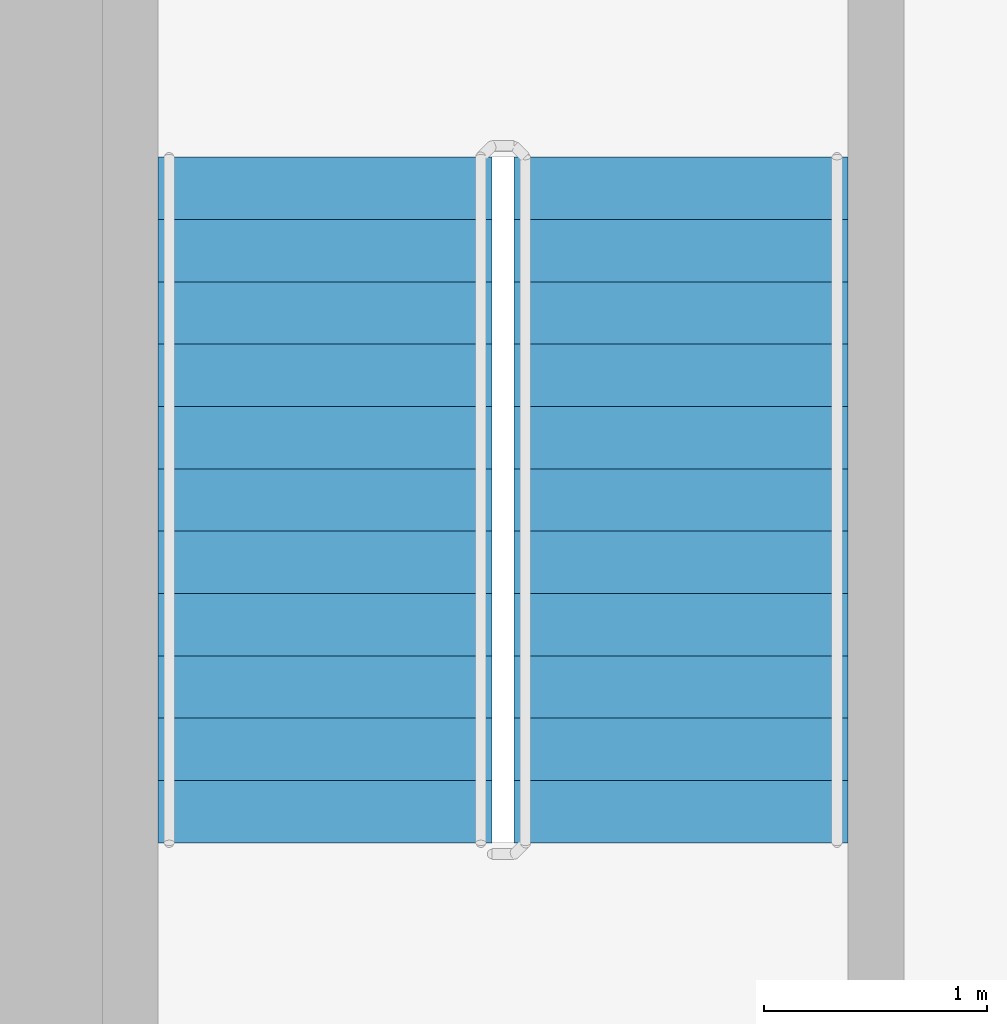
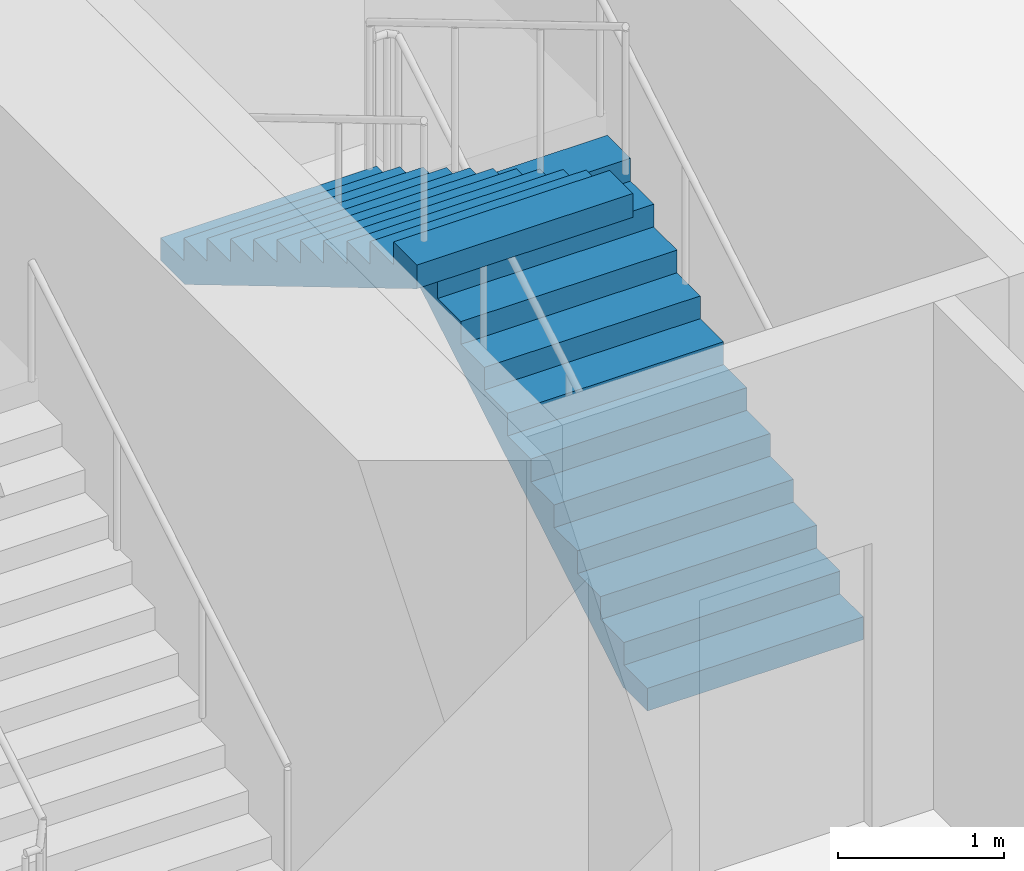
# One storey, part 21 of 29: 2 stair flights, 1 element without a shape of its own.
"""IFC4 building model written with IfcOpenShell, lengths in metres."""

from ifc_helpers import new_model, si_unit, direction, frame, origin, place, context, subcontext, project, spatial, triangles, source, transform, mapped, material, type_object, element, aggregate, save


model = new_model("IFC4")

# Units and contexts
model_context = context("Model", 3, precision=1e-05, world=origin(), true_north=direction((0.0, 1.0)))
body_context = subcontext(model_context, "Body", "Model", "MODEL_VIEW")
ifc_project = project(units=[si_unit("LENGTHUNIT", "METRE"), si_unit("AREAUNIT", "SQUARE_METRE"), si_unit("VOLUMEUNIT", "CUBIC_METRE"), si_unit("PLANEANGLEUNIT", "RADIAN"), si_unit("MASSUNIT", "GRAM", prefix="KILO")], contexts=[model_context])

# Site, building, storey
site_placement = place(None, origin())
site = spatial("IfcSite", under=ifc_project, at=site_placement, CompositionType="ELEMENT")
building_placement = place(site_placement, origin())
building = spatial("IfcBuilding", under=site, at=building_placement, Name="Kilnfold Tower and Market Hall", CompositionType="ELEMENT")
storey_placement = place(building_placement, frame((0.0, 0.0, 27.0)))
storey = spatial("IfcBuildingStorey", under=building, at=storey_placement, Name="L05", CompositionType="ELEMENT", Elevation=27.0)

# Stair, stair flights
ifc_material_1 = material(Name="Concrete C40/50", Category="concrete")
stair_type = type_object("IfcStairType", Name="CORE STAIR 1500", PredefinedType="HALF_TURN_STAIR", material=ifc_material_1)
stair_placement = place(storey_placement, origin())
stair = element("IfcStair", 1, at=stair_placement, inside=storey, type_object=stair_type, Name="L05 ST5", PredefinedType="HALF_TURN_STAIR")
ifc_material_2 = material(Name="Concrete C40/50", Category="concrete")
stair_flight_type = type_object("IfcStairFlightType", Name="CORE STAIR FLIGHT 1500", PredefinedType="STRAIGHT", material=ifc_material_2)
shared_shape = source(origin(), body_context, "Body", "Tessellation", [
    triangles([(0.0, 0.75, 0.0), (0.0, 0.65625, 0.0), (0.0, 0.5625, 0.0), (0.0, 0.46875, 0.0), (0.0, 0.375, 0.0), (0.0, 0.28125, 0.0), (0.0, 0.1875, 0.0), (0.0, 0.09375, 0.0), (0.0, 0.0, 0.0), (0.0, -0.09375, 0.0), (0.0, -0.1875, 0.0), (0.0, -0.28125, 0.0), (0.0, -0.375, 0.0), (0.0, -0.46875, 0.0), (0.0, -0.5625, 0.0), (0.0, -0.65625, 0.0), (0.0, -0.75, 0.0), (0.0, 0.75, 0.166748046875), (0.0, 0.65625, 0.166748046875), (0.0, 0.5625, 0.166748046875), (0.0, 0.46875, 0.166748046875), (0.0, 0.375, 0.166748046875), (0.0, 0.28125, 0.166748046875), (0.0, 0.1875, 0.166748046875), (0.0, 0.09375, 0.166748046875), (0.0, 0.0, 0.166748046875), (0.0, -0.09375, 0.166748046875), (0.0, -0.1875, 0.166748046875), (0.0, -0.28125, 0.166748046875), (0.0, -0.375, 0.166748046875), (0.0, -0.46875, 0.166748046875), (0.0, -0.5625, 0.166748046875), (0.0, -0.65625, 0.166748046875), (0.0, -0.75, 0.166748046875), (0.280029296875, 0.75, 0.166748046875), (0.280029296875, 0.65625, 0.166748046875), (0.280029296875, 0.5625, 0.166748046875), (0.280029296875, 0.46875, 0.166748046875), (0.280029296875, 0.375, 0.166748046875), (0.280029296875, 0.28125, 0.166748046875), (0.280029296875, 0.1875, 0.166748046875), (0.280029296875, 0.09375, 0.166748046875), (0.280029296875, 0.0, 0.166748046875), (0.280029296875, -0.09375, 0.166748046875), (0.280029296875, -0.1875, 0.166748046875), (0.280029296875, -0.28125, 0.166748046875), (0.280029296875, -0.375, 0.166748046875), (0.280029296875, -0.46875, 0.166748046875), (0.280029296875, -0.5625, 0.166748046875), (0.280029296875, -0.65625, 0.166748046875), (0.280029296875, -0.75, 0.166748046875), (0.280029296875, 0.75, 0.333251953125), (0.280029296875, 0.65625, 0.333251953125), (0.280029296875, 0.5625, 0.333251953125), (0.280029296875, 0.46875, 0.333251953125), (0.280029296875, 0.375, 0.333251953125), (0.280029296875, 0.28125, 0.333251953125), (0.280029296875, 0.1875, 0.333251953125), (0.280029296875, 0.09375, 0.333251953125), (0.280029296875, 0.0, 0.333251953125), (0.280029296875, -0.09375, 0.333251953125), (0.280029296875, -0.1875, 0.333251953125), (0.280029296875, -0.28125, 0.333251953125), (0.280029296875, -0.375, 0.333251953125), (0.280029296875, -0.46875, 0.333251953125), (0.280029296875, -0.5625, 0.333251953125), (0.280029296875, -0.65625, 0.333251953125), (0.280029296875, -0.75, 0.333251953125), (0.56005859375, 0.75, 0.333251953125), (0.56005859375, 0.65625, 0.333251953125), (0.56005859375, 0.5625, 0.333251953125), (0.56005859375, 0.46875, 0.333251953125), (0.56005859375, 0.375, 0.333251953125), (0.56005859375, 0.28125, 0.333251953125), (0.56005859375, 0.1875, 0.333251953125), (0.56005859375, 0.09375, 0.333251953125), (0.56005859375, 0.0, 0.333251953125), (0.56005859375, -0.09375, 0.333251953125), (0.56005859375, -0.1875, 0.333251953125), (0.56005859375, -0.28125, 0.333251953125), (0.56005859375, -0.375, 0.333251953125), (0.56005859375, -0.46875, 0.333251953125), (0.56005859375, -0.5625, 0.333251953125), (0.56005859375, -0.65625, 0.333251953125), (0.56005859375, -0.75, 0.333251953125), (0.56005859375, 0.75, 0.5), (0.56005859375, 0.65625, 0.5), (0.56005859375, 0.5625, 0.5), (0.56005859375, 0.46875, 0.5), (0.56005859375, 0.375, 0.5), (0.56005859375, 0.28125, 0.5), (0.56005859375, 0.1875, 0.5), (0.56005859375, 0.09375, 0.5), (0.56005859375, 0.0, 0.5), (0.56005859375, -0.09375, 0.5), (0.56005859375, -0.1875, 0.5), (0.56005859375, -0.28125, 0.5), (0.56005859375, -0.375, 0.5), (0.56005859375, -0.46875, 0.5), (0.56005859375, -0.5625, 0.5), (0.56005859375, -0.65625, 0.5), (0.56005859375, -0.75, 0.5), (0.840087890625, 0.75, 0.5), (0.840087890625, 0.65625, 0.5), (0.840087890625, 0.5625, 0.5), (0.840087890625, 0.46875, 0.5), (0.840087890625, 0.375, 0.5), (0.840087890625, 0.28125, 0.5), (0.840087890625, 0.1875, 0.5), (0.840087890625, 0.09375, 0.5), (0.840087890625, 0.0, 0.5), (0.840087890625, -0.09375, 0.5), (0.840087890625, -0.1875, 0.5), (0.840087890625, -0.28125, 0.5), (0.840087890625, -0.375, 0.5), (0.840087890625, -0.46875, 0.5), (0.840087890625, -0.5625, 0.5), (0.840087890625, -0.65625, 0.5), (0.840087890625, -0.75, 0.5), (0.840087890625, 0.75, 0.666748046875), (0.840087890625, 0.65625, 0.666748046875), (0.840087890625, 0.5625, 0.666748046875), (0.840087890625, 0.46875, 0.666748046875), (0.840087890625, 0.375, 0.666748046875), (0.840087890625, 0.28125, 0.666748046875), (0.840087890625, 0.1875, 0.666748046875), (0.840087890625, 0.09375, 0.666748046875), (0.840087890625, 0.0, 0.666748046875), (0.840087890625, -0.09375, 0.666748046875), (0.840087890625, -0.1875, 0.666748046875), (0.840087890625, -0.28125, 0.666748046875), (0.840087890625, -0.375, 0.666748046875), (0.840087890625, -0.46875, 0.666748046875), (0.840087890625, -0.5625, 0.666748046875), (0.840087890625, -0.65625, 0.666748046875), (0.840087890625, -0.75, 0.666748046875), (1.1201171875, 0.75, 0.666748046875), (1.1201171875, 0.65625, 0.666748046875), (1.1201171875, 0.5625, 0.666748046875), (1.1201171875, 0.46875, 0.666748046875), (1.1201171875, 0.375, 0.666748046875), (1.1201171875, 0.28125, 0.666748046875), (1.1201171875, 0.1875, 0.666748046875), (1.1201171875, 0.09375, 0.666748046875), (1.1201171875, 0.0, 0.666748046875), (1.1201171875, -0.09375, 0.666748046875), (1.1201171875, -0.1875, 0.666748046875), (1.1201171875, -0.28125, 0.666748046875), (1.1201171875, -0.375, 0.666748046875), (1.1201171875, -0.46875, 0.666748046875), (1.1201171875, -0.5625, 0.666748046875), (1.1201171875, -0.65625, 0.666748046875), (1.1201171875, -0.75, 0.666748046875), (1.1201171875, 0.75, 0.833251953125), (1.1201171875, 0.65625, 0.833251953125), (1.1201171875, 0.5625, 0.833251953125), (1.1201171875, 0.46875, 0.833251953125), (1.1201171875, 0.375, 0.833251953125), (1.1201171875, 0.28125, 0.833251953125), (1.1201171875, 0.1875, 0.833251953125), (1.1201171875, 0.09375, 0.833251953125), (1.1201171875, 0.0, 0.833251953125), (1.1201171875, -0.09375, 0.833251953125), (1.1201171875, -0.1875, 0.833251953125), (1.1201171875, -0.28125, 0.833251953125), (1.1201171875, -0.375, 0.833251953125), (1.1201171875, -0.46875, 0.833251953125), (1.1201171875, -0.5625, 0.833251953125), (1.1201171875, -0.65625, 0.833251953125), (1.1201171875, -0.75, 0.833251953125), (1.39990234375, 0.75, 0.833251953125), (1.39990234375, 0.65625, 0.833251953125), (1.39990234375, 0.5625, 0.833251953125), (1.39990234375, 0.46875, 0.833251953125), (1.39990234375, 0.375, 0.833251953125), (1.39990234375, 0.28125, 0.833251953125), (1.39990234375, 0.1875, 0.833251953125), (1.39990234375, 0.09375, 0.833251953125), (1.39990234375, 0.0, 0.833251953125), (1.39990234375, -0.09375, 0.833251953125), (1.39990234375, -0.1875, 0.833251953125), (1.39990234375, -0.28125, 0.833251953125), (1.39990234375, -0.375, 0.833251953125), (1.39990234375, -0.46875, 0.833251953125), (1.39990234375, -0.5625, 0.833251953125), (1.39990234375, -0.65625, 0.833251953125), (1.39990234375, -0.75, 0.833251953125), (1.39990234375, 0.75, 1.0), (1.39990234375, 0.65625, 1.0), (1.39990234375, 0.5625, 1.0), (1.39990234375, 0.46875, 1.0), (1.39990234375, 0.375, 1.0), (1.39990234375, 0.28125, 1.0), (1.39990234375, 0.1875, 1.0), (1.39990234375, 0.09375, 1.0), (1.39990234375, 0.0, 1.0), (1.39990234375, -0.09375, 1.0), (1.39990234375, -0.1875, 1.0), (1.39990234375, -0.28125, 1.0), (1.39990234375, -0.375, 1.0), (1.39990234375, -0.46875, 1.0), (1.39990234375, -0.5625, 1.0), (1.39990234375, -0.65625, 1.0), (1.39990234375, -0.75, 1.0), (1.679931640625, 0.75, 1.0), (1.679931640625, 0.65625, 1.0), (1.679931640625, 0.5625, 1.0), (1.679931640625, 0.46875, 1.0), (1.679931640625, 0.375, 1.0), (1.679931640625, 0.28125, 1.0), (1.679931640625, 0.1875, 1.0), (1.679931640625, 0.09375, 1.0), (1.679931640625, 0.0, 1.0), (1.679931640625, -0.09375, 1.0), (1.679931640625, -0.1875, 1.0), (1.679931640625, -0.28125, 1.0), (1.679931640625, -0.375, 1.0), (1.679931640625, -0.46875, 1.0), (1.679931640625, -0.5625, 1.0), (1.679931640625, -0.65625, 1.0), (1.679931640625, -0.75, 1.0), (1.679931640625, 0.75, 1.166748046875), (1.679931640625, 0.65625, 1.166748046875), (1.679931640625, 0.5625, 1.166748046875), (1.679931640625, 0.46875, 1.166748046875), (1.679931640625, 0.375, 1.166748046875), (1.679931640625, 0.28125, 1.166748046875), (1.679931640625, 0.1875, 1.166748046875), (1.679931640625, 0.09375, 1.166748046875), (1.679931640625, 0.0, 1.166748046875), (1.679931640625, -0.09375, 1.166748046875), (1.679931640625, -0.1875, 1.166748046875), (1.679931640625, -0.28125, 1.166748046875), (1.679931640625, -0.375, 1.166748046875), (1.679931640625, -0.46875, 1.166748046875), (1.679931640625, -0.5625, 1.166748046875), (1.679931640625, -0.65625, 1.166748046875), (1.679931640625, -0.75, 1.166748046875), (1.9599609375, 0.75, 1.166748046875), (1.9599609375, 0.65625, 1.166748046875), (1.9599609375, 0.5625, 1.166748046875), (1.9599609375, 0.46875, 1.166748046875), (1.9599609375, 0.375, 1.166748046875), (1.9599609375, 0.28125, 1.166748046875), (1.9599609375, 0.1875, 1.166748046875), (1.9599609375, 0.09375, 1.166748046875), (1.9599609375, 0.0, 1.166748046875), (1.9599609375, -0.09375, 1.166748046875), (1.9599609375, -0.1875, 1.166748046875), (1.9599609375, -0.28125, 1.166748046875), (1.9599609375, -0.375, 1.166748046875), (1.9599609375, -0.46875, 1.166748046875), (1.9599609375, -0.5625, 1.166748046875), (1.9599609375, -0.65625, 1.166748046875), (1.9599609375, -0.75, 1.166748046875), (1.9599609375, 0.75, 1.333251953125), (1.9599609375, 0.65625, 1.333251953125), (1.9599609375, 0.5625, 1.333251953125), (1.9599609375, 0.46875, 1.333251953125), (1.9599609375, 0.375, 1.333251953125), (1.9599609375, 0.28125, 1.333251953125), (1.9599609375, 0.1875, 1.333251953125), (1.9599609375, 0.09375, 1.333251953125), (1.9599609375, 0.0, 1.333251953125), (1.9599609375, -0.09375, 1.333251953125), (1.9599609375, -0.1875, 1.333251953125), (1.9599609375, -0.28125, 1.333251953125), (1.9599609375, -0.375, 1.333251953125), (1.9599609375, -0.46875, 1.333251953125), (1.9599609375, -0.5625, 1.333251953125), (1.9599609375, -0.65625, 1.333251953125), (1.9599609375, -0.75, 1.333251953125), (2.239990234375, 0.75, 1.333251953125), (2.239990234375, 0.65625, 1.333251953125), (2.239990234375, 0.5625, 1.333251953125), (2.239990234375, 0.46875, 1.333251953125), (2.239990234375, 0.375, 1.333251953125), (2.239990234375, 0.28125, 1.333251953125), (2.239990234375, 0.1875, 1.333251953125), (2.239990234375, 0.09375, 1.333251953125), (2.239990234375, 0.0, 1.333251953125), (2.239990234375, -0.09375, 1.333251953125), (2.239990234375, -0.1875, 1.333251953125), (2.239990234375, -0.28125, 1.333251953125), (2.239990234375, -0.375, 1.333251953125), (2.239990234375, -0.46875, 1.333251953125), (2.239990234375, -0.5625, 1.333251953125), (2.239990234375, -0.65625, 1.333251953125), (2.239990234375, -0.75, 1.333251953125), (2.239990234375, 0.75, 1.5), (2.239990234375, 0.65625, 1.5), (2.239990234375, 0.5625, 1.5), (2.239990234375, 0.46875, 1.5), (2.239990234375, 0.375, 1.5), (2.239990234375, 0.28125, 1.5), (2.239990234375, 0.1875, 1.5), (2.239990234375, 0.09375, 1.5), (2.239990234375, 0.0, 1.5), (2.239990234375, -0.09375, 1.5), (2.239990234375, -0.1875, 1.5), (2.239990234375, -0.28125, 1.5), (2.239990234375, -0.375, 1.5), (2.239990234375, -0.46875, 1.5), (2.239990234375, -0.5625, 1.5), (2.239990234375, -0.65625, 1.5), (2.239990234375, -0.75, 1.5), (2.52001953125, 0.75, 1.5), (2.52001953125, 0.65625, 1.5), (2.52001953125, 0.5625, 1.5), (2.52001953125, 0.46875, 1.5), (2.52001953125, 0.375, 1.5), (2.52001953125, 0.28125, 1.5), (2.52001953125, 0.1875, 1.5), (2.52001953125, 0.09375, 1.5), (2.52001953125, 0.0, 1.5), (2.52001953125, -0.09375, 1.5), (2.52001953125, -0.1875, 1.5), (2.52001953125, -0.28125, 1.5), (2.52001953125, -0.375, 1.5), (2.52001953125, -0.46875, 1.5), (2.52001953125, -0.5625, 1.5), (2.52001953125, -0.65625, 1.5), (2.52001953125, -0.75, 1.5), (2.52001953125, 0.75, 1.666748046875), (2.52001953125, 0.65625, 1.666748046875), (2.52001953125, 0.5625, 1.666748046875), (2.52001953125, 0.46875, 1.666748046875), (2.52001953125, 0.375, 1.666748046875), (2.52001953125, 0.28125, 1.666748046875), (2.52001953125, 0.1875, 1.666748046875), (2.52001953125, 0.09375, 1.666748046875), (2.52001953125, 0.0, 1.666748046875), (2.52001953125, -0.09375, 1.666748046875), (2.52001953125, -0.1875, 1.666748046875), (2.52001953125, -0.28125, 1.666748046875), (2.52001953125, -0.375, 1.666748046875), (2.52001953125, -0.46875, 1.666748046875), (2.52001953125, -0.5625, 1.666748046875), (2.52001953125, -0.65625, 1.666748046875), (2.52001953125, -0.75, 1.666748046875), (2.800048828125, 0.75, 1.666748046875), (2.800048828125, 0.65625, 1.666748046875), (2.800048828125, 0.5625, 1.666748046875), (2.800048828125, 0.46875, 1.666748046875), (2.800048828125, 0.375, 1.666748046875), (2.800048828125, 0.28125, 1.666748046875), (2.800048828125, 0.1875, 1.666748046875), (2.800048828125, 0.09375, 1.666748046875), (2.800048828125, 0.0, 1.666748046875), (2.800048828125, -0.09375, 1.666748046875), (2.800048828125, -0.1875, 1.666748046875), (2.800048828125, -0.28125, 1.666748046875), (2.800048828125, -0.375, 1.666748046875), (2.800048828125, -0.46875, 1.666748046875), (2.800048828125, -0.5625, 1.666748046875), (2.800048828125, -0.65625, 1.666748046875), (2.800048828125, -0.75, 1.666748046875), (2.800048828125, 0.75, 1.833251953125), (2.800048828125, 0.65625, 1.833251953125), (2.800048828125, 0.5625, 1.833251953125), (2.800048828125, 0.46875, 1.833251953125), (2.800048828125, 0.375, 1.833251953125), (2.800048828125, 0.28125, 1.833251953125), (2.800048828125, 0.1875, 1.833251953125), (2.800048828125, 0.09375, 1.833251953125), (2.800048828125, 0.0, 1.833251953125), (2.800048828125, -0.09375, 1.833251953125), (2.800048828125, -0.1875, 1.833251953125), (2.800048828125, -0.28125, 1.833251953125), (2.800048828125, -0.375, 1.833251953125), (2.800048828125, -0.46875, 1.833251953125), (2.800048828125, -0.5625, 1.833251953125), (2.800048828125, -0.65625, 1.833251953125), (2.800048828125, -0.75, 1.833251953125), (3.080078125, 0.75, 1.833251953125), (3.080078125, 0.65625, 1.833251953125), (3.080078125, 0.5625, 1.833251953125), (3.080078125, 0.46875, 1.833251953125), (3.080078125, 0.375, 1.833251953125), (3.080078125, 0.28125, 1.833251953125), (3.080078125, 0.1875, 1.833251953125), (3.080078125, 0.09375, 1.833251953125), (3.080078125, 0.0, 1.833251953125), (3.080078125, -0.09375, 1.833251953125), (3.080078125, -0.1875, 1.833251953125), (3.080078125, -0.28125, 1.833251953125), (3.080078125, -0.375, 1.833251953125), (3.080078125, -0.46875, 1.833251953125), (3.080078125, -0.5625, 1.833251953125), (3.080078125, -0.65625, 1.833251953125), (3.080078125, -0.75, 1.833251953125), (3.080078125, 0.75, 1.658935546875), (3.080078125, 0.65625, 1.658935546875), (3.080078125, 0.5625, 1.658935546875), (3.080078125, 0.46875, 1.658935546875), (3.080078125, 0.375, 1.658935546875), (3.080078125, 0.28125, 1.658935546875), (3.080078125, 0.1875, 1.658935546875), (3.080078125, 0.09375, 1.658935546875), (3.080078125, 0.0, 1.658935546875), (3.080078125, -0.09375, 1.658935546875), (3.080078125, -0.1875, 1.658935546875), (3.080078125, -0.28125, 1.658935546875), (3.080078125, -0.375, 1.658935546875), (3.080078125, -0.46875, 1.658935546875), (3.080078125, -0.5625, 1.658935546875), (3.080078125, -0.65625, 1.658935546875), (3.080078125, -0.75, 1.658935546875), (0.29296875, 0.75, 0.0), (0.29296875, 0.65625, 0.0), (0.29296875, 0.5625, 0.0), (0.29296875, 0.46875, 0.0), (0.29296875, 0.375, 0.0), (0.29296875, 0.28125, 0.0), (0.29296875, 0.1875, 0.0), (0.29296875, 0.09375, 0.0), (0.29296875, 0.0, 0.0), (0.29296875, -0.09375, 0.0), (0.29296875, -0.1875, 0.0), (0.29296875, -0.28125, 0.0), (0.29296875, -0.375, 0.0), (0.29296875, -0.46875, 0.0), (0.29296875, -0.5625, 0.0), (0.29296875, -0.65625, 0.0), (0.29296875, -0.75, 0.0)], [[1, 392, 409], [17, 425, 408], [392, 358, 375], [408, 391, 374], [392, 341, 358], [408, 374, 357], [392, 324, 341], [408, 357, 340], [392, 307, 324], [408, 340, 323], [307, 273, 290], [323, 306, 289], [392, 273, 307], [408, 323, 289], [273, 239, 256], [289, 272, 255], [392, 239, 273], [408, 289, 255], [239, 205, 222], [255, 238, 221], [392, 205, 239], [408, 255, 221], [205, 171, 188], [221, 204, 187], [392, 171, 205], [408, 221, 187], [171, 137, 154], [187, 170, 153], [392, 137, 171], [408, 187, 153], [137, 103, 120], [153, 136, 119], [392, 103, 137], [408, 153, 119], [103, 69, 86], [119, 102, 85], [392, 69, 103], [408, 119, 85], [1, 69, 392], [17, 408, 85], [69, 35, 52], [85, 68, 51], [1, 35, 69], [17, 85, 51], [35, 1, 18], [51, 34, 17], [1, 19, 18], [1, 2, 19], [2, 20, 19], [2, 3, 20], [3, 21, 20], [3, 4, 21], [4, 22, 21], [4, 5, 22], [5, 23, 22], [5, 6, 23], [6, 24, 23], [6, 7, 24], [7, 25, 24], [7, 8, 25], [8, 26, 25], [8, 9, 26], [9, 27, 26], [9, 10, 27], [10, 28, 27], [10, 11, 28], [11, 29, 28], [11, 12, 29], [12, 30, 29], [12, 13, 30], [13, 31, 30], [13, 14, 31], [14, 32, 31], [14, 15, 32], [15, 33, 32], [15, 16, 33], [16, 34, 33], [16, 17, 34], [18, 36, 35], [18, 19, 36], [19, 37, 36], [19, 20, 37], [20, 38, 37], [20, 21, 38], [21, 39, 38], [21, 22, 39], [22, 40, 39], [22, 23, 40], [23, 41, 40], [23, 24, 41], [24, 42, 41], [24, 25, 42], [25, 43, 42], [25, 26, 43], [26, 44, 43], [26, 27, 44], [27, 45, 44], [27, 28, 45], [28, 46, 45], [28, 29, 46], [29, 47, 46], [29, 30, 47], [30, 48, 47], [30, 31, 48], [31, 49, 48], [31, 32, 49], [32, 50, 49], [32, 33, 50], [33, 51, 50], [33, 34, 51], [35, 53, 52], [35, 36, 53], [36, 54, 53], [36, 37, 54], [37, 55, 54], [37, 38, 55], [38, 56, 55], [38, 39, 56], [39, 57, 56], [39, 40, 57], [40, 58, 57], [40, 41, 58], [41, 59, 58], [41, 42, 59], [42, 60, 59], [42, 43, 60], [43, 61, 60], [43, 44, 61], [44, 62, 61], [44, 45, 62], [45, 63, 62], [45, 46, 63], [46, 64, 63], [46, 47, 64], [47, 65, 64], [47, 48, 65], [48, 66, 65], [48, 49, 66], [49, 67, 66], [49, 50, 67], [50, 68, 67], [50, 51, 68], [52, 70, 69], [52, 53, 70], [53, 71, 70], [53, 54, 71], [54, 72, 71], [54, 55, 72], [55, 73, 72], [55, 56, 73], [56, 74, 73], [56, 57, 74], [57, 75, 74], [57, 58, 75], [58, 76, 75], [58, 59, 76], [59, 77, 76], [59, 60, 77], [60, 78, 77], [60, 61, 78], [61, 79, 78], [61, 62, 79], [62, 80, 79], [62, 63, 80], [63, 81, 80], [63, 64, 81], [64, 82, 81], [64, 65, 82], [65, 83, 82], [65, 66, 83], [66, 84, 83], [66, 67, 84], [67, 85, 84], [67, 68, 85], [69, 87, 86], [69, 70, 87], [70, 88, 87], [70, 71, 88], [71, 89, 88], [71, 72, 89], [72, 90, 89], [72, 73, 90], [73, 91, 90], [73, 74, 91], [74, 92, 91], [74, 75, 92], [75, 93, 92], [75, 76, 93], [76, 94, 93], [76, 77, 94], [77, 95, 94], [77, 78, 95], [78, 96, 95], [78, 79, 96], [79, 97, 96], [79, 80, 97], [80, 98, 97], [80, 81, 98], [81, 99, 98], [81, 82, 99], [82, 100, 99], [82, 83, 100], [83, 101, 100], [83, 84, 101], [84, 102, 101], [84, 85, 102], [86, 104, 103], [86, 87, 104], [87, 105, 104], [87, 88, 105], [88, 106, 105], [88, 89, 106], [89, 107, 106], [89, 90, 107], [90, 108, 107], [90, 91, 108], [91, 109, 108], [91, 92, 109], [92, 110, 109], [92, 93, 110], [93, 111, 110], [93, 94, 111], [94, 112, 111], [94, 95, 112], [95, 113, 112], [95, 96, 113], [96, 114, 113], [96, 97, 114], [97, 115, 114], [97, 98, 115], [98, 116, 115], [98, 99, 116], [99, 117, 116], [99, 100, 117], [100, 118, 117], [100, 101, 118], [101, 119, 118], [101, 102, 119], [103, 121, 120], [103, 104, 121], [104, 122, 121], [104, 105, 122], [105, 123, 122], [105, 106, 123], [106, 124, 123], [106, 107, 124], [107, 125, 124], [107, 108, 125], [108, 126, 125], [108, 109, 126], [109, 127, 126], [109, 110, 127], [110, 128, 127], [110, 111, 128], [111, 129, 128], [111, 112, 129], [112, 130, 129], [112, 113, 130], [113, 131, 130], [113, 114, 131], [114, 132, 131], [114, 115, 132], [115, 133, 132], [115, 116, 133], [116, 134, 133], [116, 117, 134], [117, 135, 134], [117, 118, 135], [118, 136, 135], [118, 119, 136], [120, 138, 137], [120, 121, 138], [121, 139, 138], [121, 122, 139], [122, 140, 139], [122, 123, 140], [123, 141, 140], [123, 124, 141], [124, 142, 141], [124, 125, 142], [125, 143, 142], [125, 126, 143], [126, 144, 143], [126, 127, 144], [127, 145, 144], [127, 128, 145], [128, 146, 145], [128, 129, 146], [129, 147, 146], [129, 130, 147], [130, 148, 147], [130, 131, 148], [131, 149, 148], [131, 132, 149], [132, 150, 149], [132, 133, 150], [133, 151, 150], [133, 134, 151], [134, 152, 151], [134, 135, 152], [135, 153, 152], [135, 136, 153], [137, 155, 154], [137, 138, 155], [138, 156, 155], [138, 139, 156], [139, 157, 156], [139, 140, 157], [140, 158, 157], [140, 141, 158], [141, 159, 158], [141, 142, 159], [142, 160, 159], [142, 143, 160], [143, 161, 160], [143, 144, 161], [144, 162, 161], [144, 145, 162], [145, 163, 162], [145, 146, 163], [146, 164, 163], [146, 147, 164], [147, 165, 164], [147, 148, 165], [148, 166, 165], [148, 149, 166], [149, 167, 166], [149, 150, 167], [150, 168, 167], [150, 151, 168], [151, 169, 168], [151, 152, 169], [152, 170, 169], [152, 153, 170], [154, 172, 171], [154, 155, 172], [155, 173, 172], [155, 156, 173], [156, 174, 173], [156, 157, 174], [157, 175, 174], [157, 158, 175], [158, 176, 175], [158, 159, 176], [159, 177, 176], [159, 160, 177], [160, 178, 177], [160, 161, 178], [161, 179, 178], [161, 162, 179], [162, 180, 179], [162, 163, 180], [163, 181, 180], [163, 164, 181], [164, 182, 181], [164, 165, 182], [165, 183, 182], [165, 166, 183], [166, 184, 183], [166, 167, 184], [167, 185, 184], [167, 168, 185], [168, 186, 185], [168, 169, 186], [169, 187, 186], [169, 170, 187], [171, 189, 188], [171, 172, 189], [172, 190, 189], [172, 173, 190], [173, 191, 190], [173, 174, 191], [174, 192, 191], [174, 175, 192], [175, 193, 192], [175, 176, 193], [176, 194, 193], [176, 177, 194], [177, 195, 194], [177, 178, 195], [178, 196, 195], [178, 179, 196], [179, 197, 196], [179, 180, 197], [180, 198, 197], [180, 181, 198], [181, 199, 198], [181, 182, 199], [182, 200, 199], [182, 183, 200], [183, 201, 200], [183, 184, 201], [184, 202, 201], [184, 185, 202], [185, 203, 202], [185, 186, 203], [186, 204, 203], [186, 187, 204], [188, 206, 205], [188, 189, 206], [189, 207, 206], [189, 190, 207], [190, 208, 207], [190, 191, 208], [191, 209, 208], [191, 192, 209], [192, 210, 209], [192, 193, 210], [193, 211, 210], [193, 194, 211], [194, 212, 211], [194, 195, 212], [195, 213, 212], [195, 196, 213], [196, 214, 213], [196, 197, 214], [197, 215, 214], [197, 198, 215], [198, 216, 215], [198, 199, 216], [199, 217, 216], [199, 200, 217], [200, 218, 217], [200, 201, 218], [201, 219, 218], [201, 202, 219], [202, 220, 219], [202, 203, 220], [203, 221, 220], [203, 204, 221], [205, 223, 222], [205, 206, 223], [206, 224, 223], [206, 207, 224], [207, 225, 224], [207, 208, 225], [208, 226, 225], [208, 209, 226], [209, 227, 226], [209, 210, 227], [210, 228, 227], [210, 211, 228], [211, 229, 228], [211, 212, 229], [212, 230, 229], [212, 213, 230], [213, 231, 230], [213, 214, 231], [214, 232, 231], [214, 215, 232], [215, 233, 232], [215, 216, 233], [216, 234, 233], [216, 217, 234], [217, 235, 234], [217, 218, 235], [218, 236, 235], [218, 219, 236], [219, 237, 236], [219, 220, 237], [220, 238, 237], [220, 221, 238], [222, 240, 239], [222, 223, 240], [223, 241, 240], [223, 224, 241], [224, 242, 241], [224, 225, 242], [225, 243, 242], [225, 226, 243], [226, 244, 243], [226, 227, 244], [227, 245, 244], [227, 228, 245], [228, 246, 245], [228, 229, 246], [229, 247, 246], [229, 230, 247], [230, 248, 247], [230, 231, 248], [231, 249, 248], [231, 232, 249], [232, 250, 249], [232, 233, 250], [233, 251, 250], [233, 234, 251], [234, 252, 251], [234, 235, 252], [235, 253, 252], [235, 236, 253], [236, 254, 253], [236, 237, 254], [237, 255, 254], [237, 238, 255], [239, 257, 256], [239, 240, 257], [240, 258, 257], [240, 241, 258], [241, 259, 258], [241, 242, 259], [242, 260, 259], [242, 243, 260], [243, 261, 260], [243, 244, 261], [244, 262, 261], [244, 245, 262], [245, 263, 262], [245, 246, 263], [246, 264, 263], [246, 247, 264], [247, 265, 264], [247, 248, 265], [248, 266, 265], [248, 249, 266], [249, 267, 266], [249, 250, 267], [250, 268, 267], [250, 251, 268], [251, 269, 268], [251, 252, 269], [252, 270, 269], [252, 253, 270], [253, 271, 270], [253, 254, 271], [254, 272, 271], [254, 255, 272], [256, 274, 273], [256, 257, 274], [257, 275, 274], [257, 258, 275], [258, 276, 275], [258, 259, 276], [259, 277, 276], [259, 260, 277], [260, 278, 277], [260, 261, 278], [261, 279, 278], [261, 262, 279], [262, 280, 279], [262, 263, 280], [263, 281, 280], [263, 264, 281], [264, 282, 281], [264, 265, 282], [265, 283, 282], [265, 266, 283], [266, 284, 283], [266, 267, 284], [267, 285, 284], [267, 268, 285], [268, 286, 285], [268, 269, 286], [269, 287, 286], [269, 270, 287], [270, 288, 287], [270, 271, 288], [271, 289, 288], [271, 272, 289], [273, 291, 290], [273, 274, 291], [274, 292, 291], [274, 275, 292], [275, 293, 292], [275, 276, 293], [276, 294, 293], [276, 277, 294], [277, 295, 294], [277, 278, 295], [278, 296, 295], [278, 279, 296], [279, 297, 296], [279, 280, 297], [280, 298, 297], [280, 281, 298], [281, 299, 298], [281, 282, 299], [282, 300, 299], [282, 283, 300], [283, 301, 300], [283, 284, 301], [284, 302, 301], [284, 285, 302], [285, 303, 302], [285, 286, 303], [286, 304, 303], [286, 287, 304], [287, 305, 304], [287, 288, 305], [288, 306, 305], [288, 289, 306], [290, 308, 307], [290, 291, 308], [291, 309, 308], [291, 292, 309], [292, 310, 309], [292, 293, 310], [293, 311, 310], [293, 294, 311], [294, 312, 311], [294, 295, 312], [295, 313, 312], [295, 296, 313], [296, 314, 313], [296, 297, 314], [297, 315, 314], [297, 298, 315], [298, 316, 315], [298, 299, 316], [299, 317, 316], [299, 300, 317], [300, 318, 317], [300, 301, 318], [301, 319, 318], [301, 302, 319], [302, 320, 319], [302, 303, 320], [303, 321, 320], [303, 304, 321], [304, 322, 321], [304, 305, 322], [305, 323, 322], [305, 306, 323], [307, 325, 324], [307, 308, 325], [308, 326, 325], [308, 309, 326], [309, 327, 326], [309, 310, 327], [310, 328, 327], [310, 311, 328], [311, 329, 328], [311, 312, 329], [312, 330, 329], [312, 313, 330], [313, 331, 330], [313, 314, 331], [314, 332, 331], [314, 315, 332], [315, 333, 332], [315, 316, 333], [316, 334, 333], [316, 317, 334], [317, 335, 334], [317, 318, 335], [318, 336, 335], [318, 319, 336], [319, 337, 336], [319, 320, 337], [320, 338, 337], [320, 321, 338], [321, 339, 338], [321, 322, 339], [322, 340, 339], [322, 323, 340], [324, 342, 341], [324, 325, 342], [325, 343, 342], [325, 326, 343], [326, 344, 343], [326, 327, 344], [327, 345, 344], [327, 328, 345], [328, 346, 345], [328, 329, 346], [329, 347, 346], [329, 330, 347], [330, 348, 347], [330, 331, 348], [331, 349, 348], [331, 332, 349], [332, 350, 349], [332, 333, 350], [333, 351, 350], [333, 334, 351], [334, 352, 351], [334, 335, 352], [335, 353, 352], [335, 336, 353], [336, 354, 353], [336, 337, 354], [337, 355, 354], [337, 338, 355], [338, 356, 355], [338, 339, 356], [339, 357, 356], [339, 340, 357], [341, 359, 358], [341, 342, 359], [342, 360, 359], [342, 343, 360], [343, 361, 360], [343, 344, 361], [344, 362, 361], [344, 345, 362], [345, 363, 362], [345, 346, 363], [346, 364, 363], [346, 347, 364], [347, 365, 364], [347, 348, 365], [348, 366, 365], [348, 349, 366], [349, 367, 366], [349, 350, 367], [350, 368, 367], [350, 351, 368], [351, 369, 368], [351, 352, 369], [352, 370, 369], [352, 353, 370], [353, 371, 370], [353, 354, 371], [354, 372, 371], [354, 355, 372], [355, 373, 372], [355, 356, 373], [356, 374, 373], [356, 357, 374], [358, 376, 375], [358, 359, 376], [359, 377, 376], [359, 360, 377], [360, 378, 377], [360, 361, 378], [361, 379, 378], [361, 362, 379], [362, 380, 379], [362, 363, 380], [363, 381, 380], [363, 364, 381], [364, 382, 381], [364, 365, 382], [365, 383, 382], [365, 366, 383], [366, 384, 383], [366, 367, 384], [367, 385, 384], [367, 368, 385], [368, 386, 385], [368, 369, 386], [369, 387, 386], [369, 370, 387], [370, 388, 387], [370, 371, 388], [371, 389, 388], [371, 372, 389], [372, 390, 389], [372, 373, 390], [373, 391, 390], [373, 374, 391], [375, 393, 392], [375, 376, 393], [376, 394, 393], [376, 377, 394], [377, 395, 394], [377, 378, 395], [378, 396, 395], [378, 379, 396], [379, 397, 396], [379, 380, 397], [380, 398, 397], [380, 381, 398], [381, 399, 398], [381, 382, 399], [382, 400, 399], [382, 383, 400], [383, 401, 400], [383, 384, 401], [384, 402, 401], [384, 385, 402], [385, 403, 402], [385, 386, 403], [386, 404, 403], [386, 387, 404], [387, 405, 404], [387, 388, 405], [388, 406, 405], [388, 389, 406], [389, 407, 406], [389, 390, 407], [390, 408, 407], [390, 391, 408], [392, 410, 409], [392, 393, 410], [393, 411, 410], [393, 394, 411], [394, 412, 411], [394, 395, 412], [395, 413, 412], [395, 396, 413], [396, 414, 413], [396, 397, 414], [397, 415, 414], [397, 398, 415], [398, 416, 415], [398, 399, 416], [399, 417, 416], [399, 400, 417], [400, 418, 417], [400, 401, 418], [401, 419, 418], [401, 402, 419], [402, 420, 419], [402, 403, 420], [403, 421, 420], [403, 404, 421], [404, 422, 421], [404, 405, 422], [405, 423, 422], [405, 406, 423], [406, 424, 423], [406, 407, 424], [407, 425, 424], [407, 408, 425], [409, 2, 1], [409, 410, 2], [410, 3, 2], [410, 411, 3], [411, 4, 3], [411, 412, 4], [412, 5, 4], [412, 413, 5], [413, 6, 5], [413, 414, 6], [414, 7, 6], [414, 415, 7], [415, 8, 7], [415, 416, 8], [416, 9, 8], [416, 417, 9], [417, 10, 9], [417, 418, 10], [418, 11, 10], [418, 419, 11], [419, 12, 11], [419, 420, 12], [420, 13, 12], [420, 421, 13], [421, 14, 13], [421, 422, 14], [422, 15, 14], [422, 423, 15], [423, 16, 15], [423, 424, 16], [424, 17, 16], [424, 425, 17]], closed=True),
])
stair_flight_1_placement = place(storey_placement, frame((20.699951171875, 11.5, 0.0), z_axis=(0.0, 0.0, 1.0), x_axis=(0.0, 1.0, 0.0)))
stair_flight_1 = element("IfcStairFlight", 2, at=stair_flight_1_placement, type_object=stair_flight_type, Name="ST5 flight 1", NumberOfRisers=12, NumberOfTreads=11, PredefinedType="STRAIGHT", RiserHeight=0.166666667, TreadLength=0.28, context=body_context, shape_type="MappedRepresentation", body=[
    mapped(shared_shape, transform((0.0, 0.0, 0.0))),
])
stair_flight_2_placement = place(storey_placement, frame((19.10009765625, 14.580078125, 2.0), z_axis=(0.0, 0.0, 1.0), x_axis=(0.0, -1.0, 0.0)))
stair_flight_2 = element("IfcStairFlight", 3, at=stair_flight_2_placement, type_object=stair_flight_type, Name="ST5 flight 2", NumberOfRisers=12, NumberOfTreads=11, PredefinedType="STRAIGHT", RiserHeight=0.166666667, TreadLength=0.28, context=body_context, shape_type="MappedRepresentation", body=[
    mapped(shared_shape, transform((0.0, 0.0, 0.0))),
])
aggregate(stair, [stair_flight_1, stair_flight_2])

save(model, "model.ifc")
